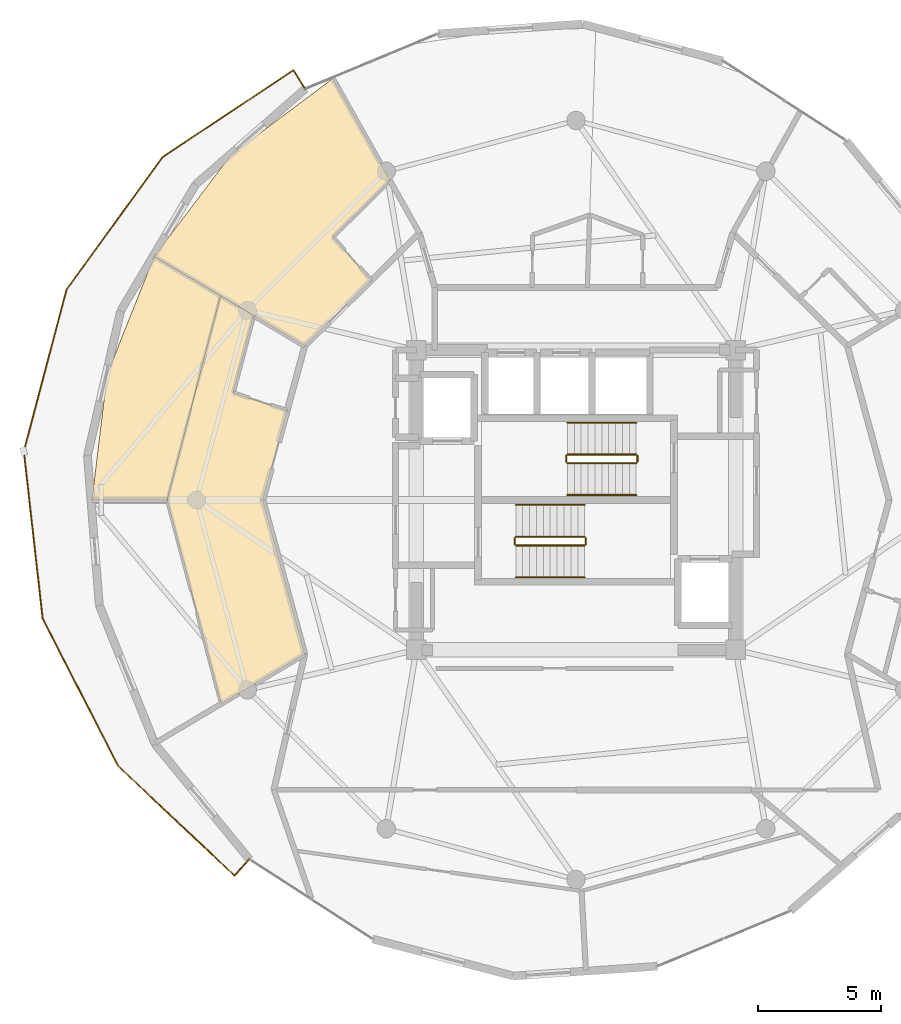
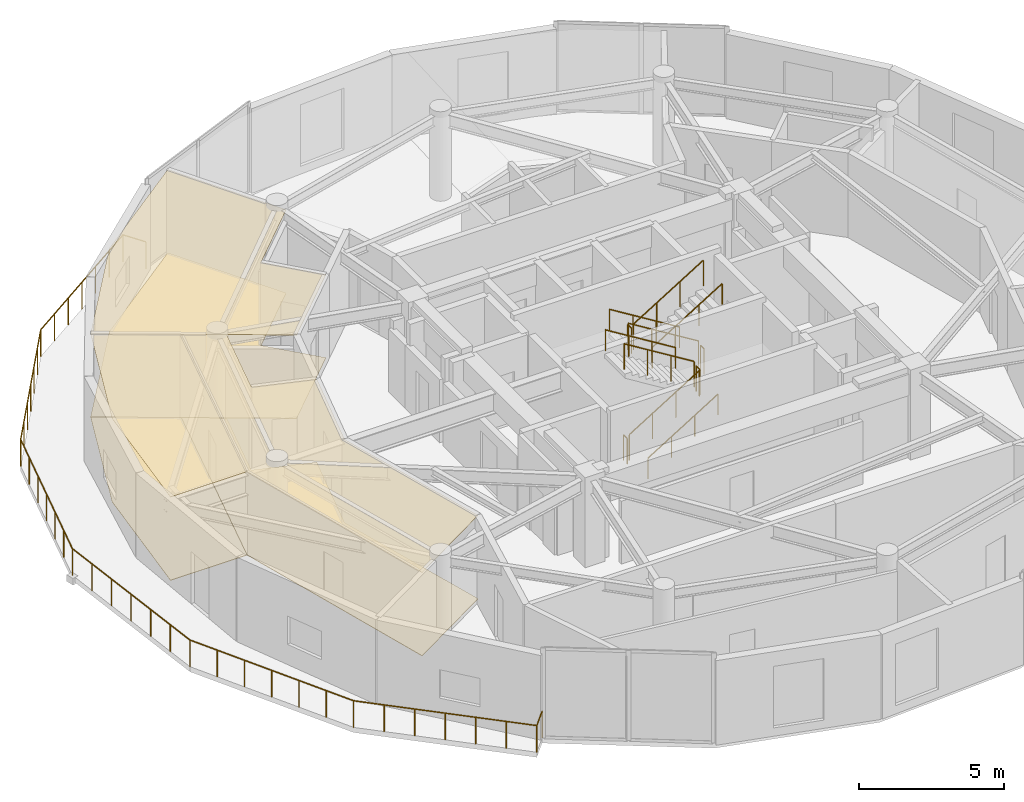
# One storey, part 16 of 17: 13 railings, 6 coverings.
"""IFC4 building model written with IfcOpenShell, lengths in metres."""

from ifc_helpers import new_model, si_unit, direction, frame, origin, origin_2d, place, context, subcontext, project, spatial, polyline, circle, outline, extrude, material, layer, layer_set, type_object, element, save


model = new_model("IFC4")

# Units and contexts
model_context = context("Model", 3, precision=1e-05, world=origin(), true_north=direction((0.0, 1.0)))
body_context = subcontext(model_context, "Body", "Model", "MODEL_VIEW")
ifc_project = project(units=[si_unit("LENGTHUNIT", "METRE"), si_unit("AREAUNIT", "SQUARE_METRE"), si_unit("VOLUMEUNIT", "CUBIC_METRE"), si_unit("PLANEANGLEUNIT", "RADIAN"), si_unit("MASSUNIT", "GRAM", prefix="KILO")], contexts=[model_context])

# Site, building, storey
site_placement = place(None, origin())
site = spatial("IfcSite", under=ifc_project, at=site_placement, CompositionType="ELEMENT")
building_placement = place(site_placement, origin())
building = spatial("IfcBuilding", under=site, at=building_placement, Name="Solvirekh Grand Hotel", CompositionType="ELEMENT")
storey_placement = place(building_placement, frame((0.0, 0.0, 246.800048828125)))
storey = spatial("IfcBuildingStorey", under=building, at=storey_placement, Name="L64", CompositionType="ELEMENT", Elevation=246.800048828125)

# Coverings
ifc_material_1 = material(Name="Acoustic Mineral Ceiling Tile")
ifc_layer_1 = layer(ifc_material_1, 0.02490234375)
ifc_layer_set_1 = layer_set([ifc_layer_1], Name="Acoustic Mineral Ceiling Tile")
covering_type_1 = type_object("IfcCoveringType", Name="Cov_Ceiling_Acoustic", PredefinedType="CEILING", material=ifc_layer_set_1)
covering_1_placement = place(storey_placement, frame((0.0, 0.0, 3.52001953125)))
element("IfcCovering", 1, at=covering_1_placement, inside=storey, type_object=covering_type_1, Name="L64 Deluxe Guestroom 6603 acoustic ceiling", PredefinedType="CEILING", context=body_context, shape_type="SweptSolid", body=[
    extrude(outline(polyline([(-9.906982421875, 10.699951171875), (-7.574951171875, 13.007080078125), (-9.905029296875, 17.156005859375), (-14.0439453125, 14.0439453125), (-17.173095703125, 9.9150390625), (-11.0419921875, 6.27490234375), (-8.3349609375, 8.93994140625), (-9.906982421875, 10.699951171875)])), origin(), (0.0, 0.0, 1.0), 0.017822265625),
])
covering_2_placement = place(storey_placement, frame((0.0, 0.0, 3.52001953125)))
element("IfcCovering", 2, at=covering_2_placement, inside=storey, type_object=covering_type_1, Name="L64 Executive Suite 6604 Living Room acoustic ceiling", PredefinedType="CEILING", context=body_context, shape_type="SweptSolid", body=[
    extrude(outline(polyline([(-13.9609375, 4.35791015625), (-13.126953125, 7.512939453125), (-14.47509765625, 8.31298828125), (-16.64501953125, 0.0), (-14.443115234375, -8.294921875), (-11.0419921875, -6.27490234375), (-12.75, 0.0), (-11.759033203125, 3.639892578125), (-13.9609375, 4.35791015625)])), origin(), (0.0, 0.0, 1.0), 0.017822265625),
])
covering_3_placement = place(storey_placement, frame((0.0, 0.0, 3.52001953125)))
element("IfcCovering", 3, at=covering_3_placement, inside=storey, type_object=covering_type_1, Name="L64 Executive Suite 6604 Master Bedroom acoustic ceiling", PredefinedType="CEILING", context=body_context, shape_type="SweptSolid", body=[
    extrude(outline(polyline([(-17.173095703125, 9.9150390625), (-19.0859375, 5.114013671875), (-19.705078125, 0.0), (-16.64501953125, 0.0), (-14.47509765625, 8.31298828125), (-17.173095703125, 9.9150390625)])), origin(), (0.0, 0.0, 1.0), 0.017822265625),
])
ifc_material_2 = material(Name="Porcelain Stoneware Flooring", Category="masonry")
ifc_layer_2 = layer(ifc_material_2, 0.030029296875)
ifc_layer_set_2 = layer_set([ifc_layer_2], Name="Porcelain Stoneware Flooring")
covering_type_2 = type_object("IfcCoveringType", Name="Cov_Floor_Stone", PredefinedType="FLOORING", material=ifc_layer_set_2)
covering_4_placement = place(storey_placement, origin())
element("IfcCovering", 4, at=covering_4_placement, inside=storey, type_object=covering_type_2, Name="L64 Deluxe Guestroom 6603 polished granite flooring", PredefinedType="FLOORING", context=body_context, shape_type="SweptSolid", body=[
    extrude(outline(polyline([(-9.906982421875, 10.699951171875), (-7.574951171875, 13.007080078125), (-9.905029296875, 17.156005859375), (-14.0439453125, 14.0439453125), (-17.173095703125, 9.9150390625), (-11.0419921875, 6.27490234375), (-8.3349609375, 8.93994140625), (-9.906982421875, 10.699951171875)])), origin(), (0.0, 0.0, 1.0), 0.02001953125),
])
covering_5_placement = place(storey_placement, origin())
element("IfcCovering", 5, at=covering_5_placement, inside=storey, type_object=covering_type_2, Name="L64 Executive Suite 6604 Living Room polished granite flooring", PredefinedType="FLOORING", context=body_context, shape_type="SweptSolid", body=[
    extrude(outline(polyline([(-13.9609375, 4.35791015625), (-13.126953125, 7.512939453125), (-14.47509765625, 8.31298828125), (-16.64501953125, 0.0), (-14.443115234375, -8.294921875), (-11.0419921875, -6.27490234375), (-12.75, 0.0), (-11.759033203125, 3.639892578125), (-13.9609375, 4.35791015625)])), origin(), (0.0, 0.0, 1.0), 0.02001953125),
])
covering_6_placement = place(storey_placement, origin())
element("IfcCovering", 6, at=covering_6_placement, inside=storey, type_object=covering_type_2, Name="L64 Executive Suite 6604 Master Bedroom polished granite flooring", PredefinedType="FLOORING", context=body_context, shape_type="SweptSolid", body=[
    extrude(outline(polyline([(-17.173095703125, 9.9150390625), (-19.0859375, 5.114013671875), (-19.705078125, 0.0), (-16.64501953125, 0.0), (-14.47509765625, 8.31298828125), (-17.173095703125, 9.9150390625)])), origin(), (0.0, 0.0, 1.0), 0.02001953125),
])

# Railings
ifc_material_3 = material(Name="Anodized Bronze Aluminium 6063-T6", Category="aluminium")
railing_type_1 = type_object("IfcRailingType", Name="Guard_ExtGlass_1150", PredefinedType="BALUSTRADE", material=ifc_material_3)
railing_1_placement = place(storey_placement, frame((-11.02587890625, 16.73291015625, 0.0)))
element("IfcRailing", 7, at=railing_1_placement, inside=storey, type_object=railing_type_1, Name="L64 balc perimeter glass balustrade", PredefinedType="BALUSTRADE", context=body_context, shape_type="SweptSolid", body=[
    extrude(circle(Radius=0.02392578125, at=origin_2d()), frame((0.0, 0.0, 1.1259765625), z_axis=(-0.527997590728, 0.849245867924, 0.0), x_axis=(-0.849245867924, -0.527997590728, 0.0)), (0.0, 0.0, 1.0), 0.89990234375),
    extrude(circle(Radius=0.02392578125, at=origin_2d()), frame((-0.47509765625, 0.76416015625, 1.1259765625), z_axis=(-0.833141336021, -0.553060136163, 0.0), x_axis=(0.553060136163, -0.833141336021, 0.0)), (0.0, 0.0, 1.0), 6.393798828125),
    extrude(circle(Radius=0.02392578125, at=origin_2d()), frame((-5.802001953125, -2.77197265625, 1.1259765625), z_axis=(-0.587517320563, -0.809211590401, 0.0), x_axis=(0.809211590401, -0.587517320563, 0.0)), (0.0, 0.0, 1.0), 6.656982421875),
    extrude(circle(Radius=0.02392578125, at=origin_2d()), frame((-9.713134765625, -8.158935546875, 1.1259765625), z_axis=(-0.255381648203, -0.966840324853, 0.0), x_axis=(0.966840324853, -0.255381648203, 0.0)), (0.0, 0.0, 1.0), 6.817138671875),
    extrude(circle(Radius=0.02392578125, at=origin_2d()), frame((-11.4541015625, -14.75, 1.1259765625), z_axis=(0.111824254158, -0.993727999093, 0.0), x_axis=(0.993727999093, 0.111824254158, 0.0)), (0.0, 0.0, 1.0), 6.848876953125),
    extrude(circle(Radius=0.02392578125, at=origin_2d()), frame((-10.688232421875, -21.555908203125, 1.1259765625), z_axis=(0.455447117685, -0.890262839274, 0.0), x_axis=(0.890262839274, 0.455447117685, 0.0)), (0.0, 0.0, 1.0), 6.7451171875),
    extrude(circle(Radius=0.02392578125, at=origin_2d()), frame((-7.6162109375, -27.560791015625, 1.1259765625), z_axis=(0.72789943956, -0.685683896477, 0.0), x_axis=(0.685683896477, 0.72789943956, 0.0)), (0.0, 0.0, 1.0), 6.511962890625),
    extrude(circle(Radius=0.02392578125, at=origin_2d()), frame((-2.876220703125, -32.02587890625, 1.1259765625), z_axis=(0.667824983219, 0.744318340355, 0.0), x_axis=(-0.744318340355, 0.667824983219, 0.0)), (0.0, 0.0, 1.0), 0.900146484375),
    extrude(circle(Radius=0.02099609375, at=origin_2d()), origin(), (0.0, 0.0, 1.0), 1.101806640625),
    extrude(circle(Radius=0.02099609375, at=origin_2d()), frame((-0.47509765625, 0.76416015625, 0.0)), (0.0, 0.0, 1.0), 1.101806640625),
    extrude(circle(Radius=0.02099609375, at=origin_2d()), frame((-1.36279296875, 0.1748046875, 0.0)), (0.0, 0.0, 1.0), 1.101806640625),
    extrude(circle(Radius=0.02099609375, at=origin_2d()), frame((-2.250732421875, -0.41455078125, 0.0)), (0.0, 0.0, 1.0), 1.101806640625),
    extrude(circle(Radius=0.02099609375, at=origin_2d()), frame((-3.138671875, -1.00390625, 0.0)), (0.0, 0.0, 1.0), 1.101806640625),
    extrude(circle(Radius=0.02099609375, at=origin_2d()), frame((-4.0263671875, -1.59326171875, 0.0)), (0.0, 0.0, 1.0), 1.101806640625),
    extrude(circle(Radius=0.02099609375, at=origin_2d()), frame((-4.9140625, -2.1826171875, 0.0)), (0.0, 0.0, 1.0), 1.101806640625),
    extrude(circle(Radius=0.02099609375, at=origin_2d()), frame((-5.802001953125, -2.77197265625, 0.0)), (0.0, 0.0, 1.0), 1.101806640625),
    extrude(circle(Radius=0.02099609375, at=origin_2d()), frame((-6.453857421875, -3.669921875, 0.0)), (0.0, 0.0, 1.0), 1.101806640625),
    extrude(circle(Radius=0.02099609375, at=origin_2d()), frame((-7.105712890625, -4.567626953125, 0.0)), (0.0, 0.0, 1.0), 1.101806640625),
    extrude(circle(Radius=0.02099609375, at=origin_2d()), frame((-7.757568359375, -5.46533203125, 0.0)), (0.0, 0.0, 1.0), 1.101806640625),
    extrude(circle(Radius=0.02099609375, at=origin_2d()), frame((-8.409423828125, -6.36328125, 0.0)), (0.0, 0.0, 1.0), 1.101806640625),
    extrude(circle(Radius=0.02099609375, at=origin_2d()), frame((-9.061279296875, -7.26123046875, 0.0)), (0.0, 0.0, 1.0), 1.101806640625),
    extrude(circle(Radius=0.02099609375, at=origin_2d()), frame((-9.713134765625, -8.158935546875, 0.0)), (0.0, 0.0, 1.0), 1.101806640625),
    extrude(circle(Radius=0.02099609375, at=origin_2d()), frame((-10.00341796875, -9.25732421875, 0.0)), (0.0, 0.0, 1.0), 1.101806640625),
    extrude(circle(Radius=0.02099609375, at=origin_2d()), frame((-10.29345703125, -10.35595703125, 0.0)), (0.0, 0.0, 1.0), 1.101806640625),
    extrude(circle(Radius=0.02099609375, at=origin_2d()), frame((-10.58349609375, -11.45458984375, 0.0)), (0.0, 0.0, 1.0), 1.101806640625),
    extrude(circle(Radius=0.02099609375, at=origin_2d()), frame((-10.873779296875, -12.552978515625, 0.0)), (0.0, 0.0, 1.0), 1.101806640625),
    extrude(circle(Radius=0.02099609375, at=origin_2d()), frame((-11.1640625, -13.6513671875, 0.0)), (0.0, 0.0, 1.0), 1.101806640625),
    extrude(circle(Radius=0.02099609375, at=origin_2d()), frame((-11.4541015625, -14.75, 0.0)), (0.0, 0.0, 1.0), 1.101806640625),
    extrude(circle(Radius=0.02099609375, at=origin_2d()), frame((-11.326416015625, -15.88427734375, 0.0)), (0.0, 0.0, 1.0), 1.101806640625),
    extrude(circle(Radius=0.02099609375, at=origin_2d()), frame((-11.19873046875, -17.0185546875, 0.0)), (0.0, 0.0, 1.0), 1.101806640625),
    extrude(circle(Radius=0.02099609375, at=origin_2d()), frame((-11.0712890625, -18.15283203125, 0.0)), (0.0, 0.0, 1.0), 1.101806640625),
    extrude(circle(Radius=0.02099609375, at=origin_2d()), frame((-10.943603515625, -19.287353515625, 0.0)), (0.0, 0.0, 1.0), 1.101806640625),
    extrude(circle(Radius=0.02099609375, at=origin_2d()), frame((-10.81591796875, -20.421630859375, 0.0)), (0.0, 0.0, 1.0), 1.101806640625),
    extrude(circle(Radius=0.02099609375, at=origin_2d()), frame((-10.688232421875, -21.555908203125, 0.0)), (0.0, 0.0, 1.0), 1.101806640625),
    extrude(circle(Radius=0.02099609375, at=origin_2d()), frame((-10.17626953125, -22.556640625, 0.0)), (0.0, 0.0, 1.0), 1.101806640625),
    extrude(circle(Radius=0.02099609375, at=origin_2d()), frame((-9.664306640625, -23.5576171875, 0.0)), (0.0, 0.0, 1.0), 1.101806640625),
    extrude(circle(Radius=0.02099609375, at=origin_2d()), frame((-9.15234375, -24.558349609375, 0.0)), (0.0, 0.0, 1.0), 1.101806640625),
    extrude(circle(Radius=0.02099609375, at=origin_2d()), frame((-8.64013671875, -25.55908203125, 0.0)), (0.0, 0.0, 1.0), 1.101806640625),
    extrude(circle(Radius=0.02099609375, at=origin_2d()), frame((-8.128173828125, -26.56005859375, 0.0)), (0.0, 0.0, 1.0), 1.101806640625),
    extrude(circle(Radius=0.02099609375, at=origin_2d()), frame((-7.6162109375, -27.560791015625, 0.0)), (0.0, 0.0, 1.0), 1.101806640625),
    extrude(circle(Radius=0.02099609375, at=origin_2d()), frame((-6.826171875, -28.304931640625, 0.0)), (0.0, 0.0, 1.0), 1.101806640625),
    extrude(circle(Radius=0.02099609375, at=origin_2d()), frame((-6.0361328125, -29.049072265625, 0.0)), (0.0, 0.0, 1.0), 1.101806640625),
    extrude(circle(Radius=0.02099609375, at=origin_2d()), frame((-5.24609375, -29.79345703125, 0.0)), (0.0, 0.0, 1.0), 1.101806640625),
    extrude(circle(Radius=0.02099609375, at=origin_2d()), frame((-4.456298828125, -30.53759765625, 0.0)), (0.0, 0.0, 1.0), 1.101806640625),
    extrude(circle(Radius=0.02099609375, at=origin_2d()), frame((-3.666259765625, -31.28173828125, 0.0)), (0.0, 0.0, 1.0), 1.101806640625),
    extrude(circle(Radius=0.02099609375, at=origin_2d()), frame((-2.876220703125, -32.02587890625, 0.0)), (0.0, 0.0, 1.0), 1.101806640625),
    extrude(circle(Radius=0.02099609375, at=origin_2d()), frame((-2.275146484375, -31.35595703125, 0.0)), (0.0, 0.0, 1.0), 1.101806640625),
])
ifc_material_4 = material(Name="Steel S355", Category="steel")
railing_type_2 = type_object("IfcRailingType", Name="Guard_Stair_1100", PredefinedType="GUARDRAIL", material=ifc_material_4)
railing_2_placement = place(storey_placement, frame((-2.449951171875, -1.85009765625, 0.172607421875)))
element("IfcRailing", 8, at=railing_2_placement, inside=storey, type_object=railing_type_2, Name="L64 ST-1 stair guard 1", PredefinedType="GUARDRAIL", context=body_context, shape_type="SweptSolid", body=[
    extrude(circle(Radius=0.02392578125, at=origin_2d()), frame((0.0, 0.0, 1.076171875), z_axis=(0.851089632645, 0.0, 0.525020415988), x_axis=(0.0, 1.0, 0.0)), (0.0, 0.0, 1.0), 3.2900390625),
    extrude(circle(Radius=0.02099609375, at=origin_2d()), origin(), (0.0, 0.0, 1.0), 1.052001953125),
    extrude(circle(Radius=0.02099609375, at=origin_2d()), frame((0.933349609375, 0.0, 0.57568359375)), (0.0, 0.0, 1.0), 1.052001953125),
    extrude(circle(Radius=0.02099609375, at=origin_2d()), frame((1.86669921875, 0.0, 1.151611328125)), (0.0, 0.0, 1.0), 1.052001953125),
    extrude(circle(Radius=0.02099609375, at=origin_2d()), frame((2.800048828125, 0.0, 1.727294921875)), (0.0, 0.0, 1.0), 1.052001953125),
])
railing_3_placement = place(storey_placement, frame((0.39990234375, -1.800048828125, 1.89990234375)))
element("IfcRailing", 9, at=railing_3_placement, inside=storey, type_object=railing_type_2, Name="L64 ST-1 stair guard 2", PredefinedType="GUARDRAIL", context=body_context, shape_type="SweptSolid", body=[
    extrude(circle(Radius=0.02392578125, at=origin_2d()), frame((0.0, 0.0, 1.076171875), z_axis=(0.0, 1.0, 0.0), x_axis=(-1.0, 0.0, 0.0)), (0.0, 0.0, 1.0), 0.25),
    extrude(circle(Radius=0.02099609375, at=origin_2d()), origin(), (0.0, 0.0, 1.0), 1.052001953125),
    extrude(circle(Radius=0.02099609375, at=origin_2d()), frame((0.0, 0.25, 0.0)), (0.0, 0.0, 1.0), 1.052001953125),
])
railing_4_placement = place(storey_placement, frame((0.35009765625, -1.5, 2.07275390625)))
element("IfcRailing", 10, at=railing_4_placement, inside=storey, type_object=railing_type_2, Name="L64 ST-1 stair guard 3", PredefinedType="GUARDRAIL", context=body_context, shape_type="SweptSolid", body=[
    extrude(circle(Radius=0.02392578125, at=origin_2d()), frame((0.0, 0.0, 1.076171875), z_axis=(-0.851089632645, 0.0, 0.525020415988), x_axis=(0.0, -1.0, 0.0)), (0.0, 0.0, 1.0), 3.2900390625),
    extrude(circle(Radius=0.02099609375, at=origin_2d()), origin(), (0.0, 0.0, 1.0), 1.052001953125),
    extrude(circle(Radius=0.02099609375, at=origin_2d()), frame((-0.933349609375, 0.0, 0.57568359375)), (0.0, 0.0, 1.0), 1.052001953125),
    extrude(circle(Radius=0.02099609375, at=origin_2d()), frame((-1.86669921875, 0.0, 1.151611328125)), (0.0, 0.0, 1.0), 1.052001953125),
    extrude(circle(Radius=0.02099609375, at=origin_2d()), frame((-2.800048828125, 0.0, 1.727294921875)), (0.0, 0.0, 1.0), 1.052001953125),
])
railing_5_placement = place(storey_placement, frame((-2.5, -1.800048828125, 0.0)))
element("IfcRailing", 11, at=railing_5_placement, inside=storey, type_object=railing_type_2, Name="L64 ST-1 stair guard 4", PredefinedType="GUARDRAIL", context=body_context, shape_type="SweptSolid", body=[
    extrude(circle(Radius=0.02392578125, at=origin_2d()), frame((0.0, 0.0, 1.076171875), z_axis=(0.0, 1.0, 0.0), x_axis=(-1.0, 0.0, 0.0)), (0.0, 0.0, 1.0), 0.25),
    extrude(circle(Radius=0.02099609375, at=origin_2d()), origin(), (0.0, 0.0, 1.0), 1.052001953125),
    extrude(circle(Radius=0.02099609375, at=origin_2d()), frame((0.0, 0.25, 0.0)), (0.0, 0.0, 1.0), 1.052001953125),
])
railing_6_placement = place(storey_placement, frame((2.449951171875, 1.85009765625, 0.172607421875)))
element("IfcRailing", 12, at=railing_6_placement, inside=storey, type_object=railing_type_2, Name="L64 ST-2 stair guard 1", PredefinedType="GUARDRAIL", context=body_context, shape_type="SweptSolid", body=[
    extrude(circle(Radius=0.02392578125, at=origin_2d()), frame((0.0, 0.0, 1.076171875), z_axis=(-0.851089632645, 0.0, 0.525020415988), x_axis=(0.0, -1.0, 0.0)), (0.0, 0.0, 1.0), 3.2900390625),
    extrude(circle(Radius=0.02099609375, at=origin_2d()), origin(), (0.0, 0.0, 1.0), 1.052001953125),
    extrude(circle(Radius=0.02099609375, at=origin_2d()), frame((-0.933349609375, 0.0, 0.57568359375)), (0.0, 0.0, 1.0), 1.052001953125),
    extrude(circle(Radius=0.02099609375, at=origin_2d()), frame((-1.86669921875, 0.0, 1.151611328125)), (0.0, 0.0, 1.0), 1.052001953125),
    extrude(circle(Radius=0.02099609375, at=origin_2d()), frame((-2.800048828125, 0.0, 1.727294921875)), (0.0, 0.0, 1.0), 1.052001953125),
])
railing_7_placement = place(storey_placement, frame((-0.39990234375, 1.800048828125, 1.89990234375)))
element("IfcRailing", 13, at=railing_7_placement, inside=storey, type_object=railing_type_2, Name="L64 ST-2 stair guard 2", PredefinedType="GUARDRAIL", context=body_context, shape_type="SweptSolid", body=[
    extrude(circle(Radius=0.02392578125, at=origin_2d()), frame((0.0, 0.0, 1.076171875), z_axis=(0.0, -1.0, 0.0), x_axis=(1.0, 0.0, 0.0)), (0.0, 0.0, 1.0), 0.25),
    extrude(circle(Radius=0.02099609375, at=origin_2d()), origin(), (0.0, 0.0, 1.0), 1.052001953125),
    extrude(circle(Radius=0.02099609375, at=origin_2d()), frame((0.0, -0.25, 0.0)), (0.0, 0.0, 1.0), 1.052001953125),
])
railing_8_placement = place(storey_placement, frame((-0.35009765625, 1.5, 2.07275390625)))
element("IfcRailing", 14, at=railing_8_placement, inside=storey, type_object=railing_type_2, Name="L64 ST-2 stair guard 3", PredefinedType="GUARDRAIL", context=body_context, shape_type="SweptSolid", body=[
    extrude(circle(Radius=0.02392578125, at=origin_2d()), frame((0.0, 0.0, 1.076171875), z_axis=(0.851089632645, 0.0, 0.525020415988), x_axis=(0.0, 1.0, 0.0)), (0.0, 0.0, 1.0), 3.2900390625),
    extrude(circle(Radius=0.02099609375, at=origin_2d()), origin(), (0.0, 0.0, 1.0), 1.052001953125),
    extrude(circle(Radius=0.02099609375, at=origin_2d()), frame((0.933349609375, 0.0, 0.57568359375)), (0.0, 0.0, 1.0), 1.052001953125),
    extrude(circle(Radius=0.02099609375, at=origin_2d()), frame((1.86669921875, 0.0, 1.151611328125)), (0.0, 0.0, 1.0), 1.052001953125),
    extrude(circle(Radius=0.02099609375, at=origin_2d()), frame((2.800048828125, 0.0, 1.727294921875)), (0.0, 0.0, 1.0), 1.052001953125),
])
railing_9_placement = place(storey_placement, frame((2.5, 1.800048828125, 0.0)))
element("IfcRailing", 15, at=railing_9_placement, inside=storey, type_object=railing_type_2, Name="L64 ST-2 stair guard 4", PredefinedType="GUARDRAIL", context=body_context, shape_type="SweptSolid", body=[
    extrude(circle(Radius=0.02392578125, at=origin_2d()), frame((0.0, 0.0, 1.076171875), z_axis=(0.0, -1.0, 0.0), x_axis=(1.0, 0.0, 0.0)), (0.0, 0.0, 1.0), 0.25),
    extrude(circle(Radius=0.02099609375, at=origin_2d()), origin(), (0.0, 0.0, 1.0), 1.052001953125),
    extrude(circle(Radius=0.02099609375, at=origin_2d()), frame((0.0, -0.25, 0.0)), (0.0, 0.0, 1.0), 1.052001953125),
])
railing_type_3 = type_object("IfcRailingType", Name="Handrail_Wall_900", PredefinedType="HANDRAIL", material=ifc_material_3)
railing_10_placement = place(storey_placement, frame((-2.449951171875, -3.14990234375, 0.172607421875)))
element("IfcRailing", 16, at=railing_10_placement, inside=storey, type_object=railing_type_3, Name="L64 ST-1 stair handrail 1", PredefinedType="HANDRAIL", context=body_context, shape_type="SweptSolid", body=[
    extrude(circle(Radius=0.02392578125, at=origin_2d()), frame((0.0, 0.0, 0.8759765625), z_axis=(0.851089632645, 0.0, 0.525020415988), x_axis=(0.0, 1.0, 0.0)), (0.0, 0.0, 1.0), 3.2900390625),
    extrude(circle(Radius=0.02099609375, at=origin_2d()), origin(), (0.0, 0.0, 1.0), 0.851806640625),
    extrude(circle(Radius=0.02099609375, at=origin_2d()), frame((0.933349609375, 0.0, 0.57568359375)), (0.0, 0.0, 1.0), 0.851806640625),
    extrude(circle(Radius=0.02099609375, at=origin_2d()), frame((1.86669921875, 0.0, 1.151611328125)), (0.0, 0.0, 1.0), 0.851806640625),
    extrude(circle(Radius=0.02099609375, at=origin_2d()), frame((2.800048828125, 0.0, 1.727294921875)), (0.0, 0.0, 1.0), 0.851806640625),
])
for number, where, name in (
    (17, (0.35009765625, -0.199951171875, 2.07275390625), "L64 ST-1 stair handrail 2"),
    (18, (2.449951171875, 3.14990234375, 0.172607421875), "L64 ST-2 stair handrail 1"),
):
    element("IfcRailing", number, at=place(storey_placement, frame(where)), inside=storey, type_object=railing_type_3, Name=name, PredefinedType="HANDRAIL", context=body_context, shape_type="SweptSolid", body=[
        extrude(circle(Radius=0.02392578125, at=origin_2d()), frame((0.0, 0.0, 0.8759765625), z_axis=(-0.851089632645, 0.0, 0.525020415988), x_axis=(0.0, -1.0, 0.0)), (0.0, 0.0, 1.0), 3.2900390625),
        extrude(circle(Radius=0.02099609375, at=origin_2d()), origin(), (0.0, 0.0, 1.0), 0.851806640625),
        extrude(circle(Radius=0.02099609375, at=origin_2d()), frame((-0.933349609375, 0.0, 0.57568359375)), (0.0, 0.0, 1.0), 0.851806640625),
        extrude(circle(Radius=0.02099609375, at=origin_2d()), frame((-1.86669921875, 0.0, 1.151611328125)), (0.0, 0.0, 1.0), 0.851806640625),
        extrude(circle(Radius=0.02099609375, at=origin_2d()), frame((-2.800048828125, 0.0, 1.727294921875)), (0.0, 0.0, 1.0), 0.851806640625),
    ])
railing_11_placement = place(storey_placement, frame((-0.35009765625, 0.199951171875, 2.07275390625)))
element("IfcRailing", 19, at=railing_11_placement, inside=storey, type_object=railing_type_3, Name="L64 ST-2 stair handrail 2", PredefinedType="HANDRAIL", context=body_context, shape_type="SweptSolid", body=[
    extrude(circle(Radius=0.02392578125, at=origin_2d()), frame((0.0, 0.0, 0.8759765625), z_axis=(0.851089632645, 0.0, 0.525020415988), x_axis=(0.0, 1.0, 0.0)), (0.0, 0.0, 1.0), 3.2900390625),
    extrude(circle(Radius=0.02099609375, at=origin_2d()), origin(), (0.0, 0.0, 1.0), 0.851806640625),
    extrude(circle(Radius=0.02099609375, at=origin_2d()), frame((0.933349609375, 0.0, 0.57568359375)), (0.0, 0.0, 1.0), 0.851806640625),
    extrude(circle(Radius=0.02099609375, at=origin_2d()), frame((1.86669921875, 0.0, 1.151611328125)), (0.0, 0.0, 1.0), 0.851806640625),
    extrude(circle(Radius=0.02099609375, at=origin_2d()), frame((2.800048828125, 0.0, 1.727294921875)), (0.0, 0.0, 1.0), 0.851806640625),
])

save(model, "model.ifc")
